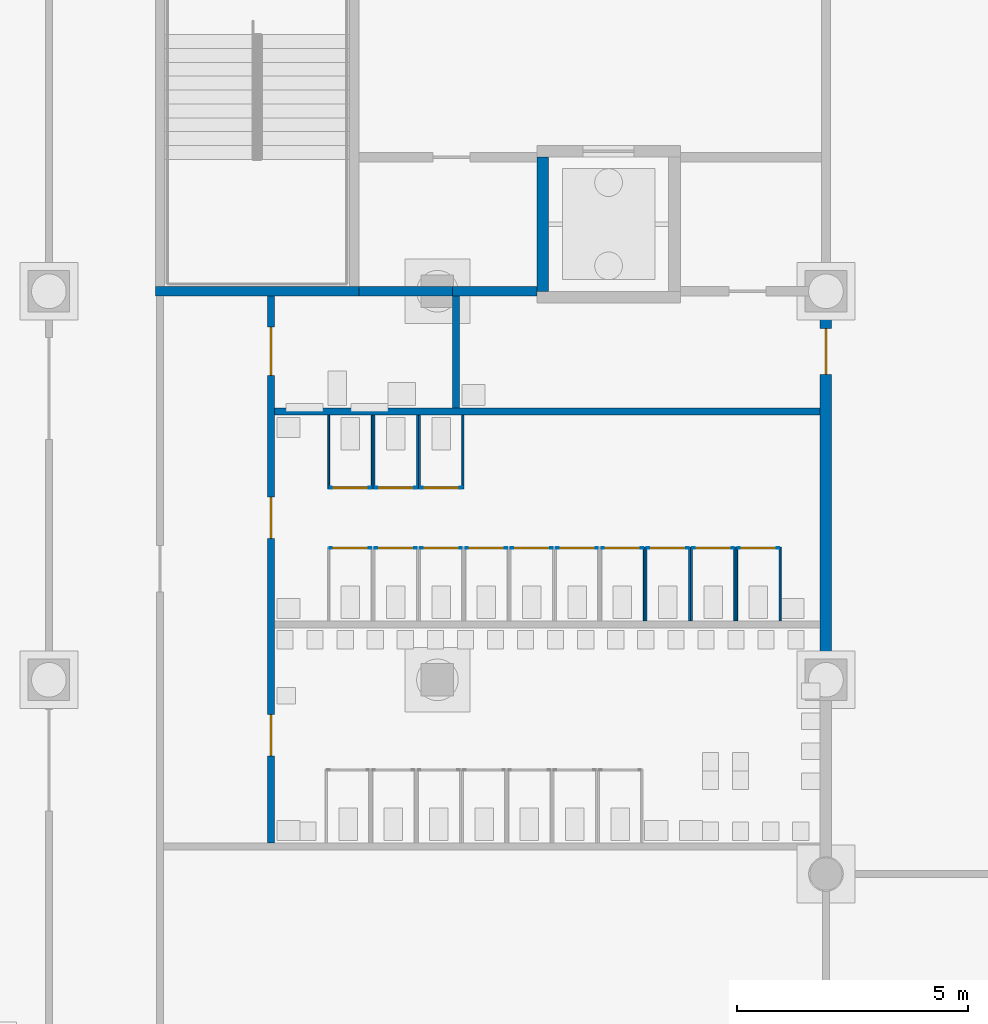
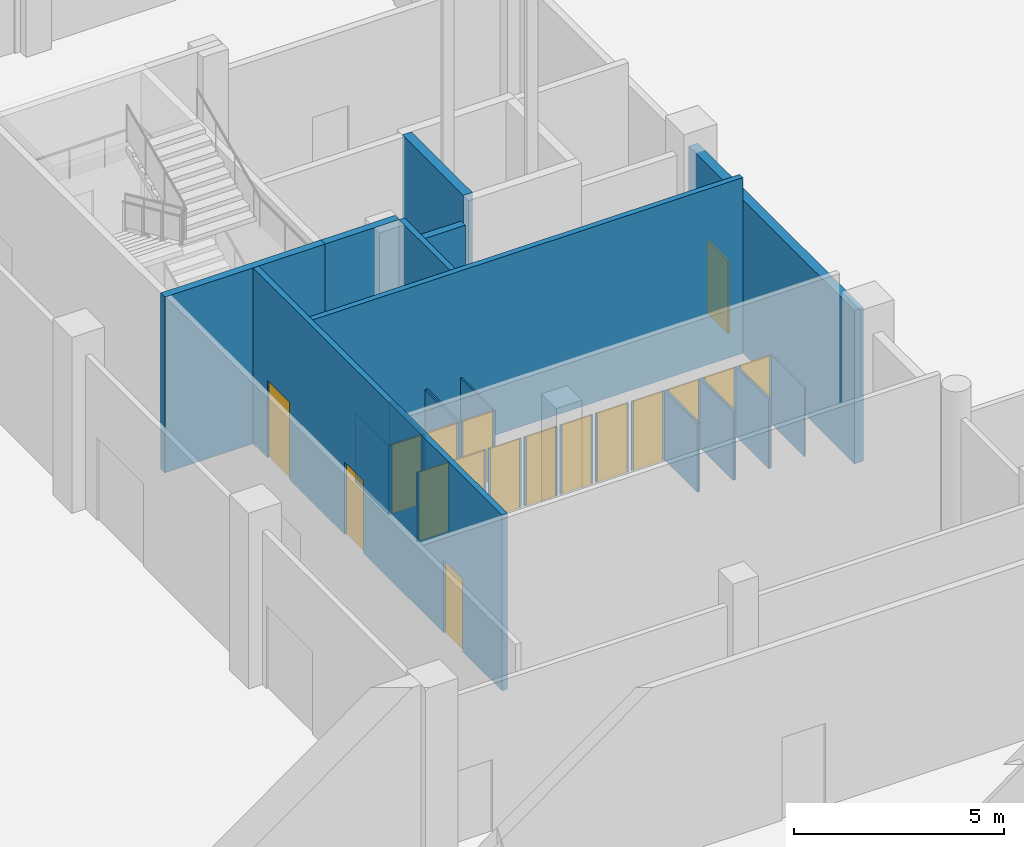
# One storey, part 17 of 74: 34 walls, 17 doors, 17 openings.
"""IFC4 building model written with IfcOpenShell, lengths in metres."""

from ifc_helpers import new_model, si_unit, direction, frame, frame_2d, origin, place, context, subcontext, project, spatial, rectangle, extrude, material, layer, layer_set, type_object, element, fill, save


model = new_model("IFC4")

# Units and contexts
model_context = context("Model", 3, precision=1e-05, world=origin(), true_north=direction((0.0, 1.0)))
body_context = subcontext(model_context, "Body", "Model", "MODEL_VIEW")
ifc_project = project(units=[si_unit("LENGTHUNIT", "METRE"), si_unit("AREAUNIT", "SQUARE_METRE"), si_unit("VOLUMEUNIT", "CUBIC_METRE"), si_unit("PLANEANGLEUNIT", "RADIAN"), si_unit("MASSUNIT", "GRAM", prefix="KILO")], contexts=[model_context])

# Site, building, storey
site_placement = place(None, origin())
site = spatial("IfcSite", under=ifc_project, at=site_placement, CompositionType="ELEMENT")
building_placement = place(site_placement, origin())
building = spatial("IfcBuilding", under=site, at=building_placement, Name="Rulbaag Community and Learning Centre", CompositionType="ELEMENT")
storey_placement = place(building_placement, origin())
storey = spatial("IfcBuildingStorey", under=building, at=storey_placement, Name="L00", CompositionType="ELEMENT", Elevation=0.0)

# Wall, opening, door
ifc_material_1 = material(Name="High pressure laminate", Category="wood")
ifc_layer_1 = layer(ifc_material_1, 0.0400390625)
ifc_layer_set_1 = layer_set([ifc_layer_1], Name="CP-40")
wall_type_1 = type_object("IfcWallType", Name="CP-40", PredefinedType="PARTITIONING", material=ifc_layer_set_1)
wall_1_placement = place(storey_placement, frame((31.27001953125, 19.64990234375, 0.0), z_axis=(0.0, 0.0, 1.0), x_axis=(1.0, 0.0, 0.0)))
wall_1 = element("IfcWall", 1, at=wall_1_placement, inside=storey, type_object=wall_type_1, Name="Cubicle partition", PredefinedType="PARTITIONING", context=body_context, shape_type="SweptSolid", body=[
    extrude(rectangle(XDim=0.89990234375, YDim=0.0400390625, at=frame_2d((0.449951171875, 0.0))), origin(), (0.0, 0.0, 1.0), 2.0),
])
opening_1_placement = place(wall_1_placement, frame((0.050048828125, 0.0, 0.0)))
opening_1 = element("IfcOpeningElement", 2, at=opening_1_placement, cuts=wall_1, Name="Opening L00-D032", PredefinedType="OPENING", context=body_context, shape_type="SweptSolid", body=[
    extrude(rectangle(XDim=0.800048828125, YDim=2.0, at=frame_2d((0.39990234375, 1.0))), frame((0.0, 0.030029296875, 0.0), z_axis=(0.0, -1.0, 0.0), x_axis=(1.0, 0.0, 0.0)), (0.0, 0.0, 1.0), 0.06005859375),
])
door_type_1 = type_object("IfcDoorType", Name="DC-80", OperationType="SINGLE_SWING_LEFT", PredefinedType="DOOR", material=ifc_material_1)
door_1_placement = place(opening_1_placement, origin())
door_1 = element("IfcDoor", 3, at=door_1_placement, inside=storey, type_object=door_type_1, Name="Cubicle door", OperationType="SINGLE_SWING_LEFT", OverallHeight=2.0, OverallWidth=0.800048828125, PredefinedType="DOOR", context=body_context, shape_type="SweptSolid", body=[
    extrude(rectangle(XDim=0.800048828125, YDim=2.0, at=frame_2d((0.39990234375, 1.0))), frame((0.0, 0.019775390625, 0.0), z_axis=(0.0, -1.0, 0.0), x_axis=(1.0, 0.0, 0.0)), (0.0, 0.0, 1.0), 0.03955078125),
])
fill(opening_1, door_1)

wall_2_placement = place(storey_placement, frame((32.25, 19.64990234375, 0.0), z_axis=(0.0, 0.0, 1.0), x_axis=(1.0, 0.0, 0.0)))
wall_2 = element("IfcWall", 4, at=wall_2_placement, inside=storey, type_object=wall_type_1, Name="Cubicle partition", PredefinedType="PARTITIONING", context=body_context, shape_type="SweptSolid", body=[
    extrude(rectangle(XDim=0.89990234375, YDim=0.0400390625, at=frame_2d((0.449951171875, 0.0))), origin(), (0.0, 0.0, 1.0), 2.0),
])
opening_2_placement = place(wall_2_placement, frame((0.050048828125, 0.0, 0.0)))
opening_2 = element("IfcOpeningElement", 5, at=opening_2_placement, cuts=wall_2, Name="Opening L00-D037", PredefinedType="OPENING", context=body_context, shape_type="SweptSolid", body=[
    extrude(rectangle(XDim=0.800048828125, YDim=2.0, at=frame_2d((0.39990234375, 1.0))), frame((0.0, 0.030029296875, 0.0), z_axis=(0.0, -1.0, 0.0), x_axis=(1.0, 0.0, 0.0)), (0.0, 0.0, 1.0), 0.06005859375),
])
door_2_placement = place(opening_2_placement, origin())
door_2 = element("IfcDoor", 6, at=door_2_placement, inside=storey, type_object=door_type_1, Name="Cubicle door", OperationType="SINGLE_SWING_LEFT", OverallHeight=2.0, OverallWidth=0.800048828125, PredefinedType="DOOR", context=body_context, shape_type="SweptSolid", body=[
    extrude(rectangle(XDim=0.800048828125, YDim=2.0, at=frame_2d((0.39990234375, 1.0))), frame((0.0, 0.019775390625, 0.0), z_axis=(0.0, -1.0, 0.0), x_axis=(1.0, 0.0, 0.0)), (0.0, 0.0, 1.0), 0.03955078125),
])
fill(opening_2, door_2)

wall_3_placement = place(storey_placement, frame((33.22998046875, 19.64990234375, 0.0), z_axis=(0.0, 0.0, 1.0), x_axis=(1.0, 0.0, 0.0)))
wall_3 = element("IfcWall", 7, at=wall_3_placement, inside=storey, type_object=wall_type_1, Name="Cubicle partition", PredefinedType="PARTITIONING", context=body_context, shape_type="SweptSolid", body=[
    extrude(rectangle(XDim=0.89990234375, YDim=0.0400390625, at=frame_2d((0.449951171875, 0.0))), origin(), (0.0, 0.0, 1.0), 2.0),
])
opening_3_placement = place(wall_3_placement, frame((0.050048828125, 0.0, 0.0)))
opening_3 = element("IfcOpeningElement", 8, at=opening_3_placement, cuts=wall_3, Name="Opening L00-D041", PredefinedType="OPENING", context=body_context, shape_type="SweptSolid", body=[
    extrude(rectangle(XDim=0.800048828125, YDim=2.0, at=frame_2d((0.39990234375, 1.0))), frame((0.0, 0.030029296875, 0.0), z_axis=(0.0, -1.0, 0.0), x_axis=(1.0, 0.0, 0.0)), (0.0, 0.0, 1.0), 0.06005859375),
])
door_3_placement = place(opening_3_placement, origin())
door_3 = element("IfcDoor", 9, at=door_3_placement, inside=storey, type_object=door_type_1, Name="Cubicle door", OperationType="SINGLE_SWING_LEFT", OverallHeight=2.0, OverallWidth=0.800048828125, PredefinedType="DOOR", context=body_context, shape_type="SweptSolid", body=[
    extrude(rectangle(XDim=0.800048828125, YDim=2.0, at=frame_2d((0.39990234375, 1.0))), frame((0.0, 0.019775390625, 0.0), z_axis=(0.0, -1.0, 0.0), x_axis=(1.0, 0.0, 0.0)), (0.0, 0.0, 1.0), 0.03955078125),
])
fill(opening_3, door_3)

wall_4_placement = place(storey_placement, frame((34.2099609375, 19.64990234375, 0.0), z_axis=(0.0, 0.0, 1.0), x_axis=(1.0, 0.0, 0.0)))
wall_4 = element("IfcWall", 10, at=wall_4_placement, inside=storey, type_object=wall_type_1, Name="Cubicle partition", PredefinedType="PARTITIONING", context=body_context, shape_type="SweptSolid", body=[
    extrude(rectangle(XDim=0.900146484375, YDim=0.0400390625, at=frame_2d((0.4501953125, 0.0))), origin(), (0.0, 0.0, 1.0), 2.0),
])
opening_4_placement = place(wall_4_placement, frame((0.050048828125, 0.0, 0.0)))
opening_4 = element("IfcOpeningElement", 11, at=opening_4_placement, cuts=wall_4, Name="Opening L00-D045", PredefinedType="OPENING", context=body_context, shape_type="SweptSolid", body=[
    extrude(rectangle(XDim=0.800048828125, YDim=2.0, at=frame_2d((0.39990234375, 1.0))), frame((0.0, 0.030029296875, 0.0), z_axis=(0.0, -1.0, 0.0), x_axis=(1.0, 0.0, 0.0)), (0.0, 0.0, 1.0), 0.06005859375),
])
door_4_placement = place(opening_4_placement, origin())
door_4 = element("IfcDoor", 12, at=door_4_placement, inside=storey, type_object=door_type_1, Name="Cubicle door", OperationType="SINGLE_SWING_LEFT", OverallHeight=2.0, OverallWidth=0.800048828125, PredefinedType="DOOR", context=body_context, shape_type="SweptSolid", body=[
    extrude(rectangle(XDim=0.800048828125, YDim=2.0, at=frame_2d((0.39990234375, 1.0))), frame((0.0, 0.019775390625, 0.0), z_axis=(0.0, -1.0, 0.0), x_axis=(1.0, 0.0, 0.0)), (0.0, 0.0, 1.0), 0.03955078125),
])
fill(opening_4, door_4)

wall_5_placement = place(storey_placement, frame((35.18994140625, 19.64990234375, 0.0), z_axis=(0.0, 0.0, 1.0), x_axis=(1.0, 0.0, 0.0)))
wall_5 = element("IfcWall", 13, at=wall_5_placement, inside=storey, type_object=wall_type_1, Name="Cubicle partition", PredefinedType="PARTITIONING", context=body_context, shape_type="SweptSolid", body=[
    extrude(rectangle(XDim=0.900146484375, YDim=0.0400390625, at=frame_2d((0.4501953125, 0.0))), origin(), (0.0, 0.0, 1.0), 2.0),
])
opening_5_placement = place(wall_5_placement, frame((0.050048828125, 0.0, 0.0)))
opening_5 = element("IfcOpeningElement", 14, at=opening_5_placement, cuts=wall_5, Name="Opening L00-D048", PredefinedType="OPENING", context=body_context, shape_type="SweptSolid", body=[
    extrude(rectangle(XDim=0.800048828125, YDim=2.0, at=frame_2d((0.39990234375, 1.0))), frame((0.0, 0.030029296875, 0.0), z_axis=(0.0, -1.0, 0.0), x_axis=(1.0, 0.0, 0.0)), (0.0, 0.0, 1.0), 0.06005859375),
])
door_5_placement = place(opening_5_placement, origin())
door_5 = element("IfcDoor", 15, at=door_5_placement, inside=storey, type_object=door_type_1, Name="Cubicle door", OperationType="SINGLE_SWING_LEFT", OverallHeight=2.0, OverallWidth=0.800048828125, PredefinedType="DOOR", context=body_context, shape_type="SweptSolid", body=[
    extrude(rectangle(XDim=0.800048828125, YDim=2.0, at=frame_2d((0.39990234375, 1.0))), frame((0.0, 0.019775390625, 0.0), z_axis=(0.0, -1.0, 0.0), x_axis=(1.0, 0.0, 0.0)), (0.0, 0.0, 1.0), 0.03955078125),
])
fill(opening_5, door_5)

wall_6_placement = place(storey_placement, frame((36.169921875, 19.64990234375, 0.0), z_axis=(0.0, 0.0, 1.0), x_axis=(1.0, 0.0, 0.0)))
wall_6 = element("IfcWall", 16, at=wall_6_placement, inside=storey, type_object=wall_type_1, Name="Cubicle partition", PredefinedType="PARTITIONING", context=body_context, shape_type="SweptSolid", body=[
    extrude(rectangle(XDim=0.900146484375, YDim=0.0400390625, at=frame_2d((0.4501953125, 0.0))), origin(), (0.0, 0.0, 1.0), 2.0),
])
opening_6_placement = place(wall_6_placement, frame((0.050048828125, 0.0, 0.0)))
opening_6 = element("IfcOpeningElement", 17, at=opening_6_placement, cuts=wall_6, Name="Opening L00-D050", PredefinedType="OPENING", context=body_context, shape_type="SweptSolid", body=[
    extrude(rectangle(XDim=0.800048828125, YDim=2.0, at=frame_2d((0.39990234375, 1.0))), frame((0.0, 0.030029296875, 0.0), z_axis=(0.0, -1.0, 0.0), x_axis=(1.0, 0.0, 0.0)), (0.0, 0.0, 1.0), 0.06005859375),
])
door_6_placement = place(opening_6_placement, origin())
door_6 = element("IfcDoor", 18, at=door_6_placement, inside=storey, type_object=door_type_1, Name="Cubicle door", OperationType="SINGLE_SWING_LEFT", OverallHeight=2.0, OverallWidth=0.800048828125, PredefinedType="DOOR", context=body_context, shape_type="SweptSolid", body=[
    extrude(rectangle(XDim=0.800048828125, YDim=2.0, at=frame_2d((0.39990234375, 1.0))), frame((0.0, 0.019775390625, 0.0), z_axis=(0.0, -1.0, 0.0), x_axis=(1.0, 0.0, 0.0)), (0.0, 0.0, 1.0), 0.03955078125),
])
fill(opening_6, door_6)

# Wall
wall_7_placement = place(storey_placement, frame((38.070068359375, 18.074951171875, 0.0), z_axis=(0.0, 0.0, 1.0), x_axis=(0.0, 1.0, 0.0)))
element("IfcWall", 19, at=wall_7_placement, inside=storey, type_object=wall_type_1, Name="Cubicle partition", PredefinedType="PARTITIONING", context=body_context, shape_type="SweptSolid", body=[
    extrude(rectangle(XDim=1.594970703125, YDim=0.0400390625, at=frame_2d((0.79736328125, 0.0))), origin(), (0.0, 0.0, 1.0), 2.0),
])

# Wall, opening, door
wall_8_placement = place(storey_placement, frame((37.14990234375, 19.64990234375, 0.0), z_axis=(0.0, 0.0, 1.0), x_axis=(1.0, 0.0, 0.0)))
wall_8 = element("IfcWall", 20, at=wall_8_placement, inside=storey, type_object=wall_type_1, Name="Cubicle partition", PredefinedType="PARTITIONING", context=body_context, shape_type="SweptSolid", body=[
    extrude(rectangle(XDim=0.900146484375, YDim=0.0400390625, at=frame_2d((0.4501953125, 0.0))), origin(), (0.0, 0.0, 1.0), 2.0),
])
opening_7_placement = place(wall_8_placement, frame((0.050048828125, 0.0, 0.0)))
opening_7 = element("IfcOpeningElement", 21, at=opening_7_placement, cuts=wall_8, Name="Opening L00-D054", PredefinedType="OPENING", context=body_context, shape_type="SweptSolid", body=[
    extrude(rectangle(XDim=0.800048828125, YDim=2.0, at=frame_2d((0.39990234375, 1.0))), frame((0.0, 0.030029296875, 0.0), z_axis=(0.0, -1.0, 0.0), x_axis=(1.0, 0.0, 0.0)), (0.0, 0.0, 1.0), 0.06005859375),
])
door_7_placement = place(opening_7_placement, origin())
door_7 = element("IfcDoor", 22, at=door_7_placement, inside=storey, type_object=door_type_1, Name="Cubicle door", OperationType="SINGLE_SWING_LEFT", OverallHeight=2.0, OverallWidth=0.800048828125, PredefinedType="DOOR", context=body_context, shape_type="SweptSolid", body=[
    extrude(rectangle(XDim=0.800048828125, YDim=2.0, at=frame_2d((0.39990234375, 1.0))), frame((0.0, 0.019775390625, 0.0), z_axis=(0.0, -1.0, 0.0), x_axis=(1.0, 0.0, 0.0)), (0.0, 0.0, 1.0), 0.03955078125),
])
fill(opening_7, door_7)

# Walls
for number, where, z_axis, x_axis, name in (
    (23, (38.110107421875, 18.074951171875, 0.0), (0.0, 0.0, 1.0), (0.0, 1.0, 0.0), "Cubicle partition"),
    (24, (39.050048828125, 18.074951171875, 0.0), (0.0, 0.0, 1.0), (0.0, 1.0, 0.0), "Cubicle partition"),
):
    element("IfcWall", number, at=place(storey_placement, frame(where, z_axis=z_axis, x_axis=x_axis)), inside=storey, type_object=wall_type_1, Name=name, PredefinedType="PARTITIONING", context=body_context, shape_type="SweptSolid", body=[
        extrude(rectangle(XDim=1.594970703125, YDim=0.0400390625, at=frame_2d((0.79736328125, 0.0))), origin(), (0.0, 0.0, 1.0), 2.0),
    ])

# Wall, opening, door
wall_9_placement = place(storey_placement, frame((38.1298828125, 19.64990234375, 0.0), z_axis=(0.0, 0.0, 1.0), x_axis=(1.0, 0.0, 0.0)))
wall_9 = element("IfcWall", 25, at=wall_9_placement, inside=storey, type_object=wall_type_1, Name="Cubicle partition", PredefinedType="PARTITIONING", context=body_context, shape_type="SweptSolid", body=[
    extrude(rectangle(XDim=0.900146484375, YDim=0.0400390625, at=frame_2d((0.4501953125, 0.0))), origin(), (0.0, 0.0, 1.0), 2.0),
])
opening_8_placement = place(wall_9_placement, frame((0.050048828125, 0.0, 0.0)))
opening_8 = element("IfcOpeningElement", 26, at=opening_8_placement, cuts=wall_9, Name="Opening L00-D056", PredefinedType="OPENING", context=body_context, shape_type="SweptSolid", body=[
    extrude(rectangle(XDim=0.800048828125, YDim=2.0, at=frame_2d((0.39990234375, 1.0))), frame((0.0, 0.030029296875, 0.0), z_axis=(0.0, -1.0, 0.0), x_axis=(1.0, 0.0, 0.0)), (0.0, 0.0, 1.0), 0.06005859375),
])
door_8_placement = place(opening_8_placement, origin())
door_8 = element("IfcDoor", 27, at=door_8_placement, inside=storey, type_object=door_type_1, Name="Cubicle door", OperationType="SINGLE_SWING_LEFT", OverallHeight=2.0, OverallWidth=0.800048828125, PredefinedType="DOOR", context=body_context, shape_type="SweptSolid", body=[
    extrude(rectangle(XDim=0.800048828125, YDim=2.0, at=frame_2d((0.39990234375, 1.0))), frame((0.0, 0.019775390625, 0.0), z_axis=(0.0, -1.0, 0.0), x_axis=(1.0, 0.0, 0.0)), (0.0, 0.0, 1.0), 0.03955078125),
])
fill(opening_8, door_8)

# Walls
for number, where, z_axis, x_axis, name in (
    (28, (39.090087890625, 18.074951171875, 0.0), (0.0, 0.0, 1.0), (0.0, 1.0, 0.0), "Cubicle partition"),
    (29, (40.030029296875, 18.074951171875, 0.0), (0.0, 0.0, 1.0), (0.0, 1.0, 0.0), "Cubicle partition"),
):
    element("IfcWall", number, at=place(storey_placement, frame(where, z_axis=z_axis, x_axis=x_axis)), inside=storey, type_object=wall_type_1, Name=name, PredefinedType="PARTITIONING", context=body_context, shape_type="SweptSolid", body=[
        extrude(rectangle(XDim=1.594970703125, YDim=0.0400390625, at=frame_2d((0.79736328125, 0.0))), origin(), (0.0, 0.0, 1.0), 2.0),
    ])

# Wall, opening, door
wall_10_placement = place(storey_placement, frame((39.110107421875, 19.64990234375, 0.0), z_axis=(0.0, 0.0, 1.0), x_axis=(1.0, 0.0, 0.0)))
wall_10 = element("IfcWall", 30, at=wall_10_placement, inside=storey, type_object=wall_type_1, Name="Cubicle partition", PredefinedType="PARTITIONING", context=body_context, shape_type="SweptSolid", body=[
    extrude(rectangle(XDim=0.89990234375, YDim=0.0400390625, at=frame_2d((0.449951171875, 0.0))), origin(), (0.0, 0.0, 1.0), 2.0),
])
opening_9_placement = place(wall_10_placement, frame((0.050048828125, 0.0, 0.0)))
opening_9 = element("IfcOpeningElement", 31, at=opening_9_placement, cuts=wall_10, Name="Opening L00-D057", PredefinedType="OPENING", context=body_context, shape_type="SweptSolid", body=[
    extrude(rectangle(XDim=0.800048828125, YDim=2.0, at=frame_2d((0.39990234375, 1.0))), frame((0.0, 0.030029296875, 0.0), z_axis=(0.0, -1.0, 0.0), x_axis=(1.0, 0.0, 0.0)), (0.0, 0.0, 1.0), 0.06005859375),
])
door_9_placement = place(opening_9_placement, origin())
door_9 = element("IfcDoor", 32, at=door_9_placement, inside=storey, type_object=door_type_1, Name="Cubicle door", OperationType="SINGLE_SWING_LEFT", OverallHeight=2.0, OverallWidth=0.800048828125, PredefinedType="DOOR", context=body_context, shape_type="SweptSolid", body=[
    extrude(rectangle(XDim=0.800048828125, YDim=2.0, at=frame_2d((0.39990234375, 1.0))), frame((0.0, 0.019775390625, 0.0), z_axis=(0.0, -1.0, 0.0), x_axis=(1.0, 0.0, 0.0)), (0.0, 0.0, 1.0), 0.03955078125),
])
fill(opening_9, door_9)

# Walls
for number, where, z_axis, x_axis, name in (
    (33, (40.070068359375, 18.074951171875, 0.0), (0.0, 0.0, 1.0), (0.0, 1.0, 0.0), "Cubicle partition"),
    (34, (41.010009765625, 18.074951171875, 0.0), (0.0, 0.0, 1.0), (0.0, 1.0, 0.0), "Cubicle partition"),
):
    element("IfcWall", number, at=place(storey_placement, frame(where, z_axis=z_axis, x_axis=x_axis)), inside=storey, type_object=wall_type_1, Name=name, PredefinedType="PARTITIONING", context=body_context, shape_type="SweptSolid", body=[
        extrude(rectangle(XDim=1.594970703125, YDim=0.0400390625, at=frame_2d((0.79736328125, 0.0))), origin(), (0.0, 0.0, 1.0), 2.0),
    ])

# Wall, opening, door
wall_11_placement = place(storey_placement, frame((40.090087890625, 19.64990234375, 0.0), z_axis=(0.0, 0.0, 1.0), x_axis=(1.0, 0.0, 0.0)))
wall_11 = element("IfcWall", 35, at=wall_11_placement, inside=storey, type_object=wall_type_1, Name="Cubicle partition", PredefinedType="PARTITIONING", context=body_context, shape_type="SweptSolid", body=[
    extrude(rectangle(XDim=0.89990234375, YDim=0.0400390625, at=frame_2d((0.449951171875, 0.0))), origin(), (0.0, 0.0, 1.0), 2.0),
])
opening_10_placement = place(wall_11_placement, frame((0.050048828125, 0.0, 0.0)))
opening_10 = element("IfcOpeningElement", 36, at=opening_10_placement, cuts=wall_11, Name="Opening L00-D060", PredefinedType="OPENING", context=body_context, shape_type="SweptSolid", body=[
    extrude(rectangle(XDim=0.800048828125, YDim=2.0, at=frame_2d((0.39990234375, 1.0))), frame((0.0, 0.030029296875, 0.0), z_axis=(0.0, -1.0, 0.0), x_axis=(1.0, 0.0, 0.0)), (0.0, 0.0, 1.0), 0.06005859375),
])
door_10_placement = place(opening_10_placement, origin())
door_10 = element("IfcDoor", 37, at=door_10_placement, inside=storey, type_object=door_type_1, Name="Cubicle door", OperationType="SINGLE_SWING_LEFT", OverallHeight=2.0, OverallWidth=0.800048828125, PredefinedType="DOOR", context=body_context, shape_type="SweptSolid", body=[
    extrude(rectangle(XDim=0.800048828125, YDim=2.0, at=frame_2d((0.39990234375, 1.0))), frame((0.0, 0.019775390625, 0.0), z_axis=(0.0, -1.0, 0.0), x_axis=(1.0, 0.0, 0.0)), (0.0, 0.0, 1.0), 0.03955078125),
])
fill(opening_10, door_10)

# Walls
for number, where, z_axis, x_axis, name in (
    (38, (31.25, 22.52490234375, 0.0), (0.0, 0.0, 1.0), (0.0, -1.0, 0.0), "Cubicle partition"),
    (39, (32.18994140625, 22.52490234375, 0.0), (0.0, 0.0, 1.0), (0.0, -1.0, 0.0), "Cubicle partition"),
):
    element("IfcWall", number, at=place(storey_placement, frame(where, z_axis=z_axis, x_axis=x_axis)), inside=storey, type_object=wall_type_1, Name=name, PredefinedType="PARTITIONING", context=body_context, shape_type="SweptSolid", body=[
        extrude(rectangle(XDim=1.594970703125, YDim=0.0400390625, at=frame_2d((0.79736328125, 0.0))), origin(), (0.0, 0.0, 1.0), 2.0),
    ])

# Wall, opening, door
wall_12_placement = place(storey_placement, frame((31.27001953125, 20.949951171875, 0.0), z_axis=(0.0, 0.0, 1.0), x_axis=(1.0, 0.0, 0.0)))
wall_12 = element("IfcWall", 40, at=wall_12_placement, inside=storey, type_object=wall_type_1, Name="Cubicle partition", PredefinedType="PARTITIONING", context=body_context, shape_type="SweptSolid", body=[
    extrude(rectangle(XDim=0.89990234375, YDim=0.0400390625, at=frame_2d((0.449951171875, 0.0))), origin(), (0.0, 0.0, 1.0), 2.0),
])
opening_11_placement = place(wall_12_placement, frame((0.050048828125, 0.0, 0.0)))
opening_11 = element("IfcOpeningElement", 41, at=opening_11_placement, cuts=wall_12, Name="Opening L00-D033", PredefinedType="OPENING", context=body_context, shape_type="SweptSolid", body=[
    extrude(rectangle(XDim=0.800048828125, YDim=2.0, at=frame_2d((0.39990234375, 1.0))), frame((0.0, 0.030029296875, 0.0), z_axis=(0.0, -1.0, 0.0), x_axis=(1.0, 0.0, 0.0)), (0.0, 0.0, 1.0), 0.06005859375),
])
door_11_placement = place(opening_11_placement, origin())
door_11 = element("IfcDoor", 42, at=door_11_placement, inside=storey, type_object=door_type_1, Name="Cubicle door", OperationType="SINGLE_SWING_LEFT", OverallHeight=2.0, OverallWidth=0.800048828125, PredefinedType="DOOR", context=body_context, shape_type="SweptSolid", body=[
    extrude(rectangle(XDim=0.800048828125, YDim=2.0, at=frame_2d((0.39990234375, 1.0))), frame((0.0, 0.019775390625, 0.0), z_axis=(0.0, -1.0, 0.0), x_axis=(1.0, 0.0, 0.0)), (0.0, 0.0, 1.0), 0.03955078125),
])
fill(opening_11, door_11)

# Walls
for number, where, z_axis, x_axis, name in (
    (43, (32.22998046875, 22.52490234375, 0.0), (0.0, 0.0, 1.0), (0.0, -1.0, 0.0), "Cubicle partition"),
    (44, (33.169921875, 22.52490234375, 0.0), (0.0, 0.0, 1.0), (0.0, -1.0, 0.0), "Cubicle partition"),
):
    element("IfcWall", number, at=place(storey_placement, frame(where, z_axis=z_axis, x_axis=x_axis)), inside=storey, type_object=wall_type_1, Name=name, PredefinedType="PARTITIONING", context=body_context, shape_type="SweptSolid", body=[
        extrude(rectangle(XDim=1.594970703125, YDim=0.0400390625, at=frame_2d((0.79736328125, 0.0))), origin(), (0.0, 0.0, 1.0), 2.0),
    ])

# Wall, opening, door
wall_13_placement = place(storey_placement, frame((32.25, 20.949951171875, 0.0), z_axis=(0.0, 0.0, 1.0), x_axis=(1.0, 0.0, 0.0)))
wall_13 = element("IfcWall", 45, at=wall_13_placement, inside=storey, type_object=wall_type_1, Name="Cubicle partition", PredefinedType="PARTITIONING", context=body_context, shape_type="SweptSolid", body=[
    extrude(rectangle(XDim=0.89990234375, YDim=0.0400390625, at=frame_2d((0.449951171875, 0.0))), origin(), (0.0, 0.0, 1.0), 2.0),
])
opening_12_placement = place(wall_13_placement, frame((0.050048828125, 0.0, 0.0)))
opening_12 = element("IfcOpeningElement", 46, at=opening_12_placement, cuts=wall_13, Name="Opening L00-D038", PredefinedType="OPENING", context=body_context, shape_type="SweptSolid", body=[
    extrude(rectangle(XDim=0.800048828125, YDim=2.0, at=frame_2d((0.39990234375, 1.0))), frame((0.0, 0.030029296875, 0.0), z_axis=(0.0, -1.0, 0.0), x_axis=(1.0, 0.0, 0.0)), (0.0, 0.0, 1.0), 0.06005859375),
])
door_12_placement = place(opening_12_placement, origin())
door_12 = element("IfcDoor", 47, at=door_12_placement, inside=storey, type_object=door_type_1, Name="Cubicle door", OperationType="SINGLE_SWING_LEFT", OverallHeight=2.0, OverallWidth=0.800048828125, PredefinedType="DOOR", context=body_context, shape_type="SweptSolid", body=[
    extrude(rectangle(XDim=0.800048828125, YDim=2.0, at=frame_2d((0.39990234375, 1.0))), frame((0.0, 0.019775390625, 0.0), z_axis=(0.0, -1.0, 0.0), x_axis=(1.0, 0.0, 0.0)), (0.0, 0.0, 1.0), 0.03955078125),
])
fill(opening_12, door_12)

# Walls
for number, where, z_axis, x_axis, name in (
    (48, (33.2099609375, 22.52490234375, 0.0), (0.0, 0.0, 1.0), (0.0, -1.0, 0.0), "Cubicle partition"),
    (49, (34.14990234375, 22.52490234375, 0.0), (0.0, 0.0, 1.0), (0.0, -1.0, 0.0), "Cubicle partition"),
):
    element("IfcWall", number, at=place(storey_placement, frame(where, z_axis=z_axis, x_axis=x_axis)), inside=storey, type_object=wall_type_1, Name=name, PredefinedType="PARTITIONING", context=body_context, shape_type="SweptSolid", body=[
        extrude(rectangle(XDim=1.594970703125, YDim=0.0400390625, at=frame_2d((0.79736328125, 0.0))), origin(), (0.0, 0.0, 1.0), 2.0),
    ])

# Wall, opening, door
wall_14_placement = place(storey_placement, frame((33.22998046875, 20.949951171875, 0.0), z_axis=(0.0, 0.0, 1.0), x_axis=(1.0, 0.0, 0.0)))
wall_14 = element("IfcWall", 50, at=wall_14_placement, inside=storey, type_object=wall_type_1, Name="Cubicle partition", PredefinedType="PARTITIONING", context=body_context, shape_type="SweptSolid", body=[
    extrude(rectangle(XDim=0.89990234375, YDim=0.0400390625, at=frame_2d((0.449951171875, 0.0))), origin(), (0.0, 0.0, 1.0), 2.0),
])
opening_13_placement = place(wall_14_placement, frame((0.050048828125, 0.0, 0.0)))
opening_13 = element("IfcOpeningElement", 51, at=opening_13_placement, cuts=wall_14, Name="Opening L00-D042", PredefinedType="OPENING", context=body_context, shape_type="SweptSolid", body=[
    extrude(rectangle(XDim=0.800048828125, YDim=2.0, at=frame_2d((0.39990234375, 1.0))), frame((0.0, 0.030029296875, 0.0), z_axis=(0.0, -1.0, 0.0), x_axis=(1.0, 0.0, 0.0)), (0.0, 0.0, 1.0), 0.06005859375),
])
door_13_placement = place(opening_13_placement, origin())
door_13 = element("IfcDoor", 52, at=door_13_placement, inside=storey, type_object=door_type_1, Name="Cubicle door", OperationType="SINGLE_SWING_LEFT", OverallHeight=2.0, OverallWidth=0.800048828125, PredefinedType="DOOR", context=body_context, shape_type="SweptSolid", body=[
    extrude(rectangle(XDim=0.800048828125, YDim=2.0, at=frame_2d((0.39990234375, 1.0))), frame((0.0, 0.019775390625, 0.0), z_axis=(0.0, -1.0, 0.0), x_axis=(1.0, 0.0, 0.0)), (0.0, 0.0, 1.0), 0.03955078125),
])
fill(opening_13, door_13)

ifc_material_2 = material(Name="Concrete M30", Category="concrete")
ifc_layer_2 = layer(ifc_material_2, 0.25)
ifc_layer_set_2 = layer_set([ifc_layer_2], Name="CW-250 COMPARTMENT WALL 250")
wall_type_2 = type_object("IfcWallType", Name="CW-250 COMPARTMENT WALL 250", PredefinedType="SOLIDWALL", material=ifc_layer_set_2)
wall_15_placement = place(storey_placement, frame((42.0, 17.22998046875, 0.0), z_axis=(0.0, 0.0, 1.0), x_axis=(0.0, 1.0, 0.0)))
wall_15 = element("IfcWall", 53, at=wall_15_placement, inside=storey, type_object=wall_type_2, Name="Fire wall L00 67.2", PredefinedType="SOLIDWALL", context=body_context, shape_type="SweptSolid", body=[
    extrude(rectangle(XDim=7.8701171875, YDim=0.25, at=frame_2d((3.93505859375, 0.0))), origin(), (0.0, 0.0, 1.0), 4.449951171875),
])
opening_14_placement = place(wall_15_placement, frame((6.169921875, 0.0, 0.0)))
opening_14 = element("IfcOpeningElement", 54, at=opening_14_placement, cuts=wall_15, Name="Opening L00-D061", PredefinedType="OPENING", context=body_context, shape_type="SweptSolid", body=[
    extrude(rectangle(XDim=1.0, YDim=2.10009765625, at=frame_2d((0.5, 1.050048828125))), frame((0.0, 0.135009765625, 0.0), z_axis=(0.0, -1.0, 0.0), x_axis=(1.0, 0.0, 0.0)), (0.0, 0.0, 1.0), 0.27001953125),
])
ifc_material_3 = material(Name="Galvanised steel", Category="steel")
door_type_2 = type_object("IfcDoorType", Name="FD-1000 FIRE DOOR 1000 x 2100", OperationType="SINGLE_SWING_LEFT", PredefinedType="DOOR", material=ifc_material_3)
door_14_placement = place(opening_14_placement, origin())
door_14 = element("IfcDoor", 55, at=door_14_placement, inside=storey, type_object=door_type_2, Name="Door L00-D061", OperationType="SINGLE_SWING_RIGHT", OverallHeight=2.10009765625, OverallWidth=1.0, PredefinedType="DOOR", context=body_context, shape_type="SweptSolid", body=[
    extrude(rectangle(XDim=1.0, YDim=2.10009765625, at=frame_2d((0.5, 1.050048828125))), frame((0.0, 0.02490234375, 0.0), z_axis=(0.0, -1.0, 0.0), x_axis=(1.0, 0.0, 0.0)), (0.0, 0.0, 1.0), 0.050048828125),
])
fill(opening_14, door_14)

# Walls
ifc_material_4 = material(Name="Concrete blockwork", Category="masonry")
ifc_layer_3 = layer(ifc_material_4, 0.199951171875)
ifc_layer_set_3 = layer_set([ifc_layer_3], Name="FW-200 FIRE WALL 200")
wall_type_3 = type_object("IfcWallType", Name="FW-200 FIRE WALL 200", PredefinedType="SOLIDWALL", material=ifc_layer_set_3)
wall_16_placement = place(storey_placement, frame((31.89990234375, 25.199951171875, 0.0), z_axis=(0.0, 0.0, 1.0), x_axis=(1.0, 0.0, 0.0)))
element("IfcWall", 56, at=wall_16_placement, inside=storey, type_object=wall_type_3, Name="Fire wall L00 18", PredefinedType="SOLIDWALL", context=body_context, shape_type="SweptSolid", body=[
    extrude(rectangle(XDim=2.030029296875, YDim=0.199951171875, at=frame_2d((1.01513671875, 0.0))), origin(), (0.0, 0.0, 1.0), 5.10009765625),
])
wall_17_placement = place(storey_placement, frame((33.929931640625, 25.199951171875, 0.0), z_axis=(0.0, 0.0, 1.0), x_axis=(1.0, 0.0, 0.0)))
element("IfcWall", 57, at=wall_17_placement, inside=storey, type_object=wall_type_3, Name="Fire wall L00 18.2", PredefinedType="SOLIDWALL", context=body_context, shape_type="SweptSolid", body=[
    extrude(rectangle(XDim=1.820068359375, YDim=0.199951171875, at=frame_2d((0.91015625, 0.0))), origin(), (0.0, 0.0, 1.0), 4.300048828125),
])
ifc_layer_4 = layer(ifc_material_4, 0.14990234375)
ifc_layer_set_4 = layer_set([ifc_layer_4], Name="IP-150 PARTITION 150")
wall_type_4 = type_object("IfcWallType", Name="IP-150 PARTITION 150", PredefinedType="PARTITIONING", material=ifc_layer_set_4)
wall_18_placement = place(storey_placement, frame((30.074951171875, 22.60009765625, 0.0), z_axis=(0.0, 0.0, 1.0), x_axis=(1.0, 0.0, 0.0)))
element("IfcWall", 58, at=wall_18_placement, inside=storey, type_object=wall_type_4, Name="Partition L00 16", PredefinedType="PARTITIONING", context=body_context, shape_type="SweptSolid", body=[
    extrude(rectangle(XDim=11.800048828125, YDim=0.14990234375, at=frame_2d((5.89990234375, 0.0))), origin(), (0.0, 0.0, 1.0), 5.10009765625),
])

# Wall, openings, doors
wall_19_placement = place(storey_placement, frame((30.0, 13.27490234375, 0.0), z_axis=(0.0, 0.0, 1.0), x_axis=(0.0, 1.0, 0.0)))
wall_19 = element("IfcWall", 59, at=wall_19_placement, inside=storey, type_object=wall_type_4, Name="Partition L00 62", PredefinedType="PARTITIONING", context=body_context, shape_type="SweptSolid", body=[
    extrude(rectangle(XDim=11.8251953125, YDim=0.14990234375, at=frame_2d((5.91259765625, 0.0))), origin(), (0.0, 0.0, 1.0), 5.10009765625),
])
opening_15_placement = place(wall_19_placement, frame((1.875, 0.0, 0.0)))
opening_15 = element("IfcOpeningElement", 60, at=opening_15_placement, cuts=wall_19, Name="Opening L00-D027", PredefinedType="OPENING", context=body_context, shape_type="SweptSolid", body=[
    extrude(rectangle(XDim=0.89990234375, YDim=2.10009765625, at=frame_2d((0.449951171875, 1.050048828125))), frame((0.0, 0.0849609375, 0.0), z_axis=(0.0, -1.0, 0.0), x_axis=(1.0, 0.0, 0.0)), (0.0, 0.0, 1.0), 0.169921875),
])
opening_16_placement = place(wall_19_placement, frame((6.574951171875, 0.0, 0.0)))
opening_16 = element("IfcOpeningElement", 61, at=opening_16_placement, cuts=wall_19, Name="Opening L00-D028", PredefinedType="OPENING", context=body_context, shape_type="SweptSolid", body=[
    extrude(rectangle(XDim=0.89990234375, YDim=2.10009765625, at=frame_2d((0.449951171875, 1.050048828125))), frame((0.0, 0.0849609375, 0.0), z_axis=(0.0, -1.0, 0.0), x_axis=(1.0, 0.0, 0.0)), (0.0, 0.0, 1.0), 0.169921875),
])
opening_17_placement = place(wall_19_placement, frame((10.10009765625, 0.0, 0.0)))
opening_17 = element("IfcOpeningElement", 62, at=opening_17_placement, cuts=wall_19, Name="Opening L00-D029", PredefinedType="OPENING", context=body_context, shape_type="SweptSolid", body=[
    extrude(rectangle(XDim=1.050048828125, YDim=2.25, at=frame_2d((0.52490234375, 1.125))), frame((0.0, 0.0849609375, 0.0), z_axis=(0.0, -1.0, 0.0), x_axis=(1.0, 0.0, 0.0)), (0.0, 0.0, 1.0), 0.169921875),
])
ifc_material_5 = material(Name="Timber", Category="wood")
door_type_3 = type_object("IfcDoorType", Name="D-1050 ACCESSIBLE TOILET DOOR 1050 x 2250", OperationType="SINGLE_SWING_LEFT", PredefinedType="DOOR", material=ifc_material_5)
door_15_placement = place(opening_17_placement, origin())
door_15 = element("IfcDoor", 63, at=door_15_placement, inside=storey, type_object=door_type_3, Name="Door L00-D029", OperationType="SINGLE_SWING_RIGHT", OverallHeight=2.25, OverallWidth=1.050048828125, PredefinedType="DOOR", context=body_context, shape_type="SweptSolid", body=[
    extrude(rectangle(XDim=1.050048828125, YDim=2.25, at=frame_2d((0.52490234375, 1.125))), frame((0.0, 0.02490234375, 0.0), z_axis=(0.0, -1.0, 0.0), x_axis=(1.0, 0.0, 0.0)), (0.0, 0.0, 1.0), 0.050048828125),
])
fill(opening_17, door_15)
door_type_4 = type_object("IfcDoorType", Name="DW-900 TOILET DOOR 900 x 2100", OperationType="SINGLE_SWING_LEFT", PredefinedType="DOOR", material=ifc_material_5)
door_16_placement = place(opening_15_placement, origin())
door_16 = element("IfcDoor", 64, at=door_16_placement, inside=storey, type_object=door_type_4, Name="Door L00-D027", OperationType="SINGLE_SWING_LEFT", OverallHeight=2.10009765625, OverallWidth=0.89990234375, PredefinedType="DOOR", context=body_context, shape_type="SweptSolid", body=[
    extrude(rectangle(XDim=0.89990234375, YDim=2.10009765625, at=frame_2d((0.449951171875, 1.050048828125))), frame((0.0, 0.02490234375, 0.0), z_axis=(0.0, -1.0, 0.0), x_axis=(1.0, 0.0, 0.0)), (0.0, 0.0, 1.0), 0.050048828125),
])
fill(opening_15, door_16)
door_17_placement = place(opening_16_placement, origin())
door_17 = element("IfcDoor", 65, at=door_17_placement, inside=storey, type_object=door_type_4, Name="Door L00-D028", OperationType="SINGLE_SWING_RIGHT", OverallHeight=2.10009765625, OverallWidth=0.89990234375, PredefinedType="DOOR", context=body_context, shape_type="SweptSolid", body=[
    extrude(rectangle(XDim=0.89990234375, YDim=2.10009765625, at=frame_2d((0.449951171875, 1.050048828125))), frame((0.0, 0.02490234375, 0.0), z_axis=(0.0, -1.0, 0.0), x_axis=(1.0, 0.0, 0.0)), (0.0, 0.0, 1.0), 0.050048828125),
])
fill(opening_16, door_17)

# Walls
wall_20_placement = place(storey_placement, frame((34.0, 22.675048828125, 0.0), z_axis=(0.0, 0.0, 1.0), x_axis=(0.0, 1.0, 0.0)))
element("IfcWall", 66, at=wall_20_placement, inside=storey, type_object=wall_type_4, Name="Partition L00 63", PredefinedType="PARTITIONING", context=body_context, shape_type="SweptSolid", body=[
    extrude(rectangle(XDim=2.425048828125, YDim=0.14990234375, at=frame_2d((1.21240234375, 0.0))), origin(), (0.0, 0.0, 1.0), 5.10009765625),
])
ifc_material_6 = material(Name="Concrete M40", Category="concrete")
ifc_layer_5 = layer(ifc_material_6, 0.25)
ifc_layer_set_5 = layer_set([ifc_layer_5], Name="W8 Lift shaft wall 250 Concrete M40")
wall_type_5 = type_object("IfcWallType", Name="W8 Lift shaft wall 250 Concrete M40", PredefinedType="SHEAR", material=ifc_layer_set_5)
wall_21_placement = place(storey_placement, frame((35.875, 25.199951171875, -1.5), z_axis=(0.0, 0.0, 1.0), x_axis=(0.0, 1.0, 0.0)))
element("IfcWall", 67, at=wall_21_placement, inside=storey, type_object=wall_type_5, Name="WL-LH1-W-L00", PredefinedType="SHEAR", context=body_context, shape_type="SweptSolid", body=[
    extrude(rectangle(XDim=2.900146484375, YDim=0.25, at=frame_2d((1.4501953125, 0.0))), origin(), (0.0, 0.0, 1.0), 6.60009765625),
])
ifc_layer_6 = layer(ifc_material_6, 0.199951171875)
ifc_layer_set_6 = layer_set([ifc_layer_6], Name="WSE Stair enclosure wall 200 Concrete M40")
wall_type_6 = type_object("IfcWallType", Name="WSE Stair enclosure wall 200 Concrete M40", PredefinedType="SHEAR", material=ifc_layer_set_6)
wall_22_placement = place(storey_placement, frame((27.5, 25.199951171875, 0.0), z_axis=(0.0, 0.0, 1.0), x_axis=(1.0, 0.0, 0.0)))
element("IfcWall", 68, at=wall_22_placement, inside=storey, type_object=wall_type_6, Name="Stair enclosure wall SH1 S L00", PredefinedType="SHEAR", context=body_context, shape_type="SweptSolid", body=[
    extrude(rectangle(XDim=4.39990234375, YDim=0.199951171875, at=frame_2d((2.199951171875, 0.0))), origin(), (0.0, 0.0, 1.0), 5.10009765625),
])

save(model, "model.ifc")
